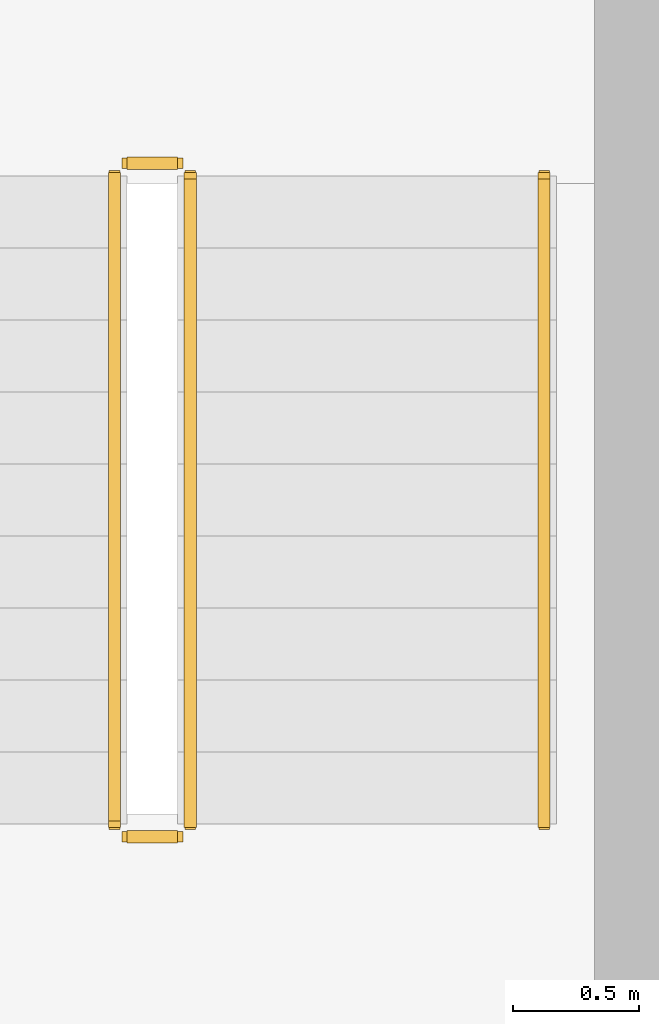
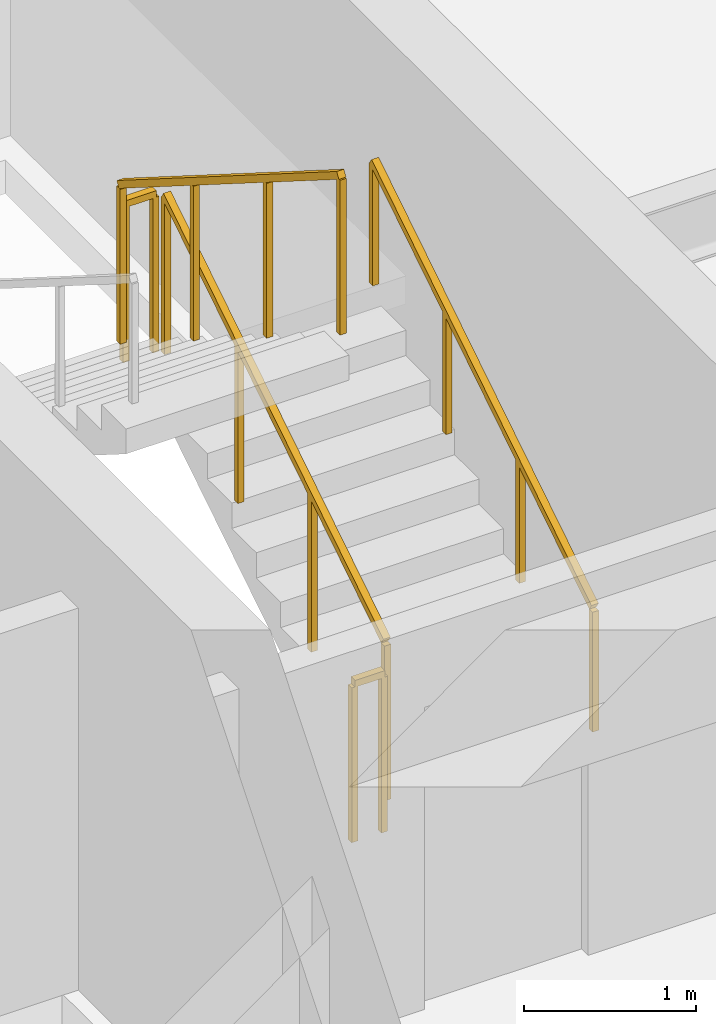
# One storey, part 23 of 23: 5 railings.
"""IFC4 building model written with IfcOpenShell, lengths in metres."""

import ifcopenshell
import ifcopenshell.guid

model = None  # the IFC model being written
_history = None  # IfcOwnerHistory: only IFC2X3 demands one
_inside = {}  # id of a spatial element -> (the spatial element, [elements in it])
_under = {}  # id of a project, library or spatial element -> (it, [spatial elements below it])
_declared = {}  # id of a project -> (the project, [libraries it declares])
_typed = {}  # id of a type object -> (the type object, [elements of that type])
_made_of = {}  # id of a material, layer set ... -> (it, [elements and type objects made of it])


def new_model(schema):
    """Start an empty IFC model of exactly this schema.

    Asked for "IFC4X3", IfcOpenShell would pick the latest addendum, in which some entities
    have other attributes; the version numbers below select the first issue.
    IFC2X3 requires an IfcOwnerHistory on every rooted entity: one is made here for all.
    """
    global model, _history
    if schema == "IFC4X3":
        model = ifcopenshell.file(schema_version=(4, 3, 0, 0))
    else:
        model = ifcopenshell.file(schema=schema)
    _inside.clear()
    _under.clear()
    _declared.clear()
    _typed.clear()
    _made_of.clear()
    _history = None
    if model.schema == "IFC2X3":
        org = make("IfcOrganization", Name="unknown")
        user = make(
            "IfcPersonAndOrganization",
            ThePerson=make("IfcPerson", FamilyName="unknown"),
            TheOrganization=org,
        )
        app = make(
            "IfcApplication",
            ApplicationDeveloper=org,
            Version="unknown",
            ApplicationFullName="unknown",
            ApplicationIdentifier="unknown",
        )
        _history = make(
            "IfcOwnerHistory",
            OwningUser=user,
            OwningApplication=app,
            ChangeAction="ADDED",
            CreationDate=0,
        )
    return model


def make(cls, **values):
    """One entity of the class cls with the attributes given. An attribute that is None is left unset."""
    return model.create_entity(
        cls, **{name: value for name, value in values.items() if value is not None}
    )


def rooted(cls, **values):
    """An entity with a GlobalId (a new one), such as an element, a storey or a relation."""
    return make(cls, GlobalId=ifcopenshell.guid.new(), OwnerHistory=_history, **values)


def si_unit(unit_type, name, prefix=None):
    """IfcSIUnit, for example si_unit("LENGTHUNIT", "METRE", prefix="MILLI")."""
    return make("IfcSIUnit", UnitType=unit_type, Prefix=prefix, Name=name)


def assignment(units):
    """IfcUnitAssignment: the units of a project."""
    return None if units is None else make("IfcUnitAssignment", Units=units)


def point(xyz):
    """IfcCartesianPoint."""
    return None if xyz is None else make("IfcCartesianPoint", Coordinates=xyz)


def direction(xyz):
    """IfcDirection."""
    return None if xyz is None else make("IfcDirection", DirectionRatios=xyz)


def frame(location, z_axis=None, x_axis=None):
    """IfcAxis2Placement3D, a coordinate frame: its origin and axes. An axis left out is left unset."""
    return make(
        "IfcAxis2Placement3D",
        Location=point(location),
        Axis=direction(z_axis),
        RefDirection=direction(x_axis),
    )


def frame_2d(location, x_axis=None):
    """IfcAxis2Placement2D, a coordinate frame in the plane: its origin and x axis."""
    return make(
        "IfcAxis2Placement2D", Location=point(location), RefDirection=direction(x_axis)
    )


def origin():
    """The frame at (0, 0, 0) with its axes left unset."""
    return frame((0.0, 0.0, 0.0))


def origin_2d():
    """The frame at (0, 0) in the plane with its x axis left unset."""
    return frame_2d((0.0, 0.0))


def place(relative_to, where):
    """IfcLocalPlacement: puts the frame where relative to a parent placement (None: the world)."""
    return make(
        "IfcLocalPlacement", PlacementRelTo=relative_to, RelativePlacement=where
    )


def context(
    kind, dimensions, precision=None, world=None, true_north=None, identifier=None
):
    """IfcGeometricRepresentationContext, for example the 3D "Model" context."""
    return make(
        "IfcGeometricRepresentationContext",
        ContextIdentifier=identifier,
        ContextType=kind,
        CoordinateSpaceDimension=dimensions,
        Precision=precision,
        WorldCoordinateSystem=world,
        TrueNorth=true_north,
    )


def subcontext(parent, identifier, kind, view, scale=None):
    """IfcGeometricRepresentationSubContext, for example "Body" below "Model"."""
    return make(
        "IfcGeometricRepresentationSubContext",
        ContextIdentifier=identifier,
        ContextType=kind,
        ParentContext=parent,
        TargetScale=scale,
        TargetView=view,
    )


def project(units=None, contexts=None):
    """IfcProject with its units and contexts."""
    return rooted(
        "IfcProject",
        Name="project",
        RepresentationContexts=contexts,
        UnitsInContext=assignment(units),
    )


def spatial(cls, under=None, at=None, **own):
    """A site, building, storey or space (cls), placed at a placement, below another one or the project."""
    s = rooted(cls, ObjectPlacement=at, **own)
    if under is not None:
        _under.setdefault(under.id(), (under, []))[1].append(s)
    return s


def profile(cls, at=None, kind="AREA", **sizes):
    """A parametric profile (cls). Its sizes go by their IFC names, for example OverallWidth=200.0."""
    return make(cls, ProfileType=kind, Position=at, **sizes)


def rectangle(**sizes):
    """IfcRectangleProfileDef."""
    return profile("IfcRectangleProfileDef", **sizes)


def extrude(swept, where, along, depth):
    """IfcExtrudedAreaSolid: the profile swept, set in the frame where, extruded along a direction by depth."""
    return make(
        "IfcExtrudedAreaSolid",
        SweptArea=swept,
        Position=where,
        ExtrudedDirection=direction(along),
        Depth=depth,
    )


def shape(context_of_items, identifier, shape_type, items):
    """IfcShapeRepresentation: the items that make up one representation, for example the "Body"."""
    return make(
        "IfcShapeRepresentation",
        ContextOfItems=context_of_items,
        RepresentationIdentifier=identifier,
        RepresentationType=shape_type,
        Items=items,
    )


def material(Name=None, Category=None):
    """IfcMaterial."""
    return make("IfcMaterial", Name=Name, Category=Category)


def made_of(thing, what):
    """Note that an element or type object is made of a material, layer set ...; save() writes the relation."""
    if what is not None:
        _made_of.setdefault(what.id(), (what, []))[1].append(thing)
    return thing


def type_object(cls, material=None, **own):
    """A type object (cls), such as IfcWallType, which elements share."""
    return made_of(rooted(cls, **own), material)


def element(
    cls,
    number,
    at=None,
    inside=None,
    cuts=None,
    type_object=None,
    material=None,
    context=None,
    identifier="Body",
    shape_type=None,
    held_by="IfcProductDefinitionShape",
    body=None,
    shapes=None,
    **own,
):
    """One element of the class cls, such as IfcWall. Its Tag is "e" and its number.

    at: its placement. inside: the storey or other place that contains it. cuts: it is an
    opening in that element (IfcRelVoidsElement). A single representation is given by context,
    identifier, shape_type and body (its items); several are given by shapes. held_by: the class
    of the entity that holds the representations. save() writes the other relations.
    """
    e = rooted(cls, Tag="e%d" % number, ObjectPlacement=at, **own)
    if body is not None:
        shapes = [shape(context, identifier, shape_type, body)]
    if shapes is not None:
        e.Representation = make(held_by, Representations=shapes)
    if inside is not None:
        _inside.setdefault(inside.id(), (inside, []))[1].append(e)
    if cuts is not None:
        rooted(
            "IfcRelVoidsElement", RelatingBuildingElement=cuts, RelatedOpeningElement=e
        )
    if type_object is not None:
        _typed.setdefault(type_object.id(), (type_object, []))[1].append(e)
    return made_of(e, material)


def aggregate(whole, parts):
    """IfcRelAggregates: a whole, such as a stair, and the parts it consists of."""
    return rooted("IfcRelAggregates", RelatingObject=whole, RelatedObjects=parts)


def save(model, path):
    """Write the relations noted so far, then the file.

    IfcRelAggregates (storeys below a building ...), IfcRelContainedInSpatialStructure (elements
    in a storey), IfcRelDefinesByType, IfcRelAssociatesMaterial and IfcRelDeclares: one each for
    every whole, place, type object, material and project.
    """
    for whole, parts in _under.values():
        aggregate(whole, parts)
    for where, things in _inside.values():
        rooted(
            "IfcRelContainedInSpatialStructure",
            RelatedElements=things,
            RelatingStructure=where,
        )
    for kind, things in _typed.values():
        rooted("IfcRelDefinesByType", RelatedObjects=things, RelatingType=kind)
    for what, things in _made_of.values():
        rooted("IfcRelAssociatesMaterial", RelatedObjects=things, RelatingMaterial=what)
    for by, libraries in _declared.values():
        rooted("IfcRelDeclares", RelatingContext=by, RelatedDefinitions=libraries)
    model.write(path)


model = new_model("IFC4")

# Units and contexts
model_context = context("Model", 3, precision=1e-05, world=origin(), true_north=direction((0.0, 1.0)))
body_context = subcontext(model_context, "Body", "Model", "MODEL_VIEW")
ifc_project = project(units=[si_unit("LENGTHUNIT", "METRE"), si_unit("AREAUNIT", "SQUARE_METRE"), si_unit("VOLUMEUNIT", "CUBIC_METRE"), si_unit("PLANEANGLEUNIT", "RADIAN"), si_unit("MASSUNIT", "GRAM", prefix="KILO")], contexts=[model_context])

# Site, building, storey
site_placement = place(None, origin())
site = spatial("IfcSite", under=ifc_project, at=site_placement, CompositionType="ELEMENT")
building_placement = place(site_placement, origin())
building = spatial("IfcBuilding", under=site, at=building_placement, Name="Sarneth Arch Tower", CompositionType="ELEMENT")
storey_placement = place(building_placement, frame((0.0, 0.0, 238.800048828125)))
storey = spatial("IfcBuildingStorey", under=building, at=storey_placement, Name="L61", CompositionType="ELEMENT", Elevation=238.800048828125)

# Railings
ifc_material_1 = material(Name="Brushed Stainless Steel 304 tubular handrail", Category="steel")
railing_type_1 = type_object("IfcRailingType", Name="RAIL-HANDRAIL-900", PredefinedType="HANDRAIL", material=ifc_material_1)
railing_1_placement = place(storey_placement, frame((58.60009765625, 41.449951171875, 0.179931640625)))
element("IfcRailing", 1, at=railing_1_placement, inside=storey, type_object=railing_type_1, Name="L61 ST-2 stair handrail 1", PredefinedType="HANDRAIL", context=body_context, shape_type="SweptSolid", body=[
    extrude(rectangle(XDim=0.048095703125, YDim=0.048095703125, at=origin_2d()), frame((0.0, 0.0, 0.8759765625), z_axis=(0.0, 0.845465955043, 0.534029323973), x_axis=(-1.0, 0.0, 0.0)), (0.0, 0.0, 1.0), 3.03369140625),
    extrude(rectangle(XDim=0.0419921875, YDim=0.0419921875, at=origin_2d()), origin(), (0.0, 0.0, 1.0), 0.851806640625),
    extrude(rectangle(XDim=0.0419921875, YDim=0.0419921875, at=origin_2d()), frame((0.0, 0.85498046875, 0.5400390625)), (0.0, 0.0, 1.0), 0.851806640625),
    extrude(rectangle(XDim=0.0419921875, YDim=0.0419921875, at=origin_2d()), frame((0.0, 1.7099609375, 1.080078125)), (0.0, 0.0, 1.0), 0.851806640625),
    extrude(rectangle(XDim=0.0419921875, YDim=0.0419921875, at=origin_2d()), frame((0.0, 2.56494140625, 1.6201171875)), (0.0, 0.0, 1.0), 0.851806640625),
])
ifc_material_2 = material(Name="Painted Steel S275 stair well guard", Category="steel")
railing_type_2 = type_object("IfcRailingType", Name="RAIL-STAIR-GUARD", PredefinedType="GUARDRAIL", material=ifc_material_2)
railing_2_placement = place(storey_placement, frame((57.199951171875, 41.449951171875, 0.179931640625)))
element("IfcRailing", 2, at=railing_2_placement, inside=storey, type_object=railing_type_2, Name="L61 ST-2 stair guard 1", PredefinedType="GUARDRAIL", context=body_context, shape_type="SweptSolid", body=[
    extrude(rectangle(XDim=0.048095703125, YDim=0.048095703125, at=origin_2d()), frame((0.0, 0.0, 1.1259765625), z_axis=(0.0, 0.845465955043, 0.534029323973), x_axis=(-1.0, 0.0, 0.0)), (0.0, 0.0, 1.0), 3.03369140625),
    extrude(rectangle(XDim=0.0419921875, YDim=0.0419921875, at=origin_2d()), origin(), (0.0, 0.0, 1.0), 1.101806640625),
    extrude(rectangle(XDim=0.0419921875, YDim=0.0419921875, at=origin_2d()), frame((0.0, 0.85498046875, 0.5400390625)), (0.0, 0.0, 1.0), 1.101806640625),
    extrude(rectangle(XDim=0.0419921875, YDim=0.0419921875, at=origin_2d()), frame((0.0, 1.7099609375, 1.080078125)), (0.0, 0.0, 1.0), 1.101806640625),
    extrude(rectangle(XDim=0.0419921875, YDim=0.0419921875, at=origin_2d()), frame((0.0, 2.56494140625, 1.6201171875)), (0.0, 0.0, 1.0), 1.101806640625),
])
railing_3_placement = place(storey_placement, frame((57.14990234375, 44.06494140625, 1.800048828125)))
element("IfcRailing", 3, at=railing_3_placement, inside=storey, type_object=railing_type_2, Name="L61 ST-2 stair guard 2", PredefinedType="GUARDRAIL", context=body_context, shape_type="SweptSolid", body=[
    extrude(rectangle(XDim=0.048095703125, YDim=0.048095703125, at=origin_2d()), frame((0.0, 0.0, 1.1259765625), z_axis=(-1.0, 0.0, 0.0), x_axis=(0.0, -1.0, 0.0)), (0.0, 0.0, 1.0), 0.199951171875),
    extrude(rectangle(XDim=0.0419921875, YDim=0.0419921875, at=origin_2d()), origin(), (0.0, 0.0, 1.0), 1.101806640625),
    extrude(rectangle(XDim=0.0419921875, YDim=0.0419921875, at=origin_2d()), frame((-0.199951171875, 0.0, 0.0)), (0.0, 0.0, 1.0), 1.101806640625),
])
railing_4_placement = place(storey_placement, frame((56.89990234375, 44.014892578125, 1.97998046875)))
element("IfcRailing", 4, at=railing_4_placement, inside=storey, type_object=railing_type_2, Name="L61 ST-2 stair guard 3", PredefinedType="GUARDRAIL", context=body_context, shape_type="SweptSolid", body=[
    extrude(rectangle(XDim=0.048095703125, YDim=0.048095703125, at=origin_2d()), frame((0.0, 0.0, 1.1259765625), z_axis=(0.0, -0.845502289212, 0.533971796014), x_axis=(1.0, 0.0, 0.0)), (0.0, 0.0, 1.0), 3.03369140625),
    extrude(rectangle(XDim=0.0419921875, YDim=0.0419921875, at=origin_2d()), origin(), (0.0, 0.0, 1.0), 1.101806640625),
    extrude(rectangle(XDim=0.0419921875, YDim=0.0419921875, at=origin_2d()), frame((0.0, -0.85498046875, 0.5400390625)), (0.0, 0.0, 1.0), 1.101806640625),
    extrude(rectangle(XDim=0.0419921875, YDim=0.0419921875, at=origin_2d()), frame((0.0, -1.7099609375, 1.079833984375)), (0.0, 0.0, 1.0), 1.101806640625),
    extrude(rectangle(XDim=0.0419921875, YDim=0.0419921875, at=origin_2d()), frame((0.0, -2.56494140625, 1.619873046875)), (0.0, 0.0, 1.0), 1.101806640625),
])
railing_5_placement = place(storey_placement, frame((57.14990234375, 41.39990234375, 0.0)))
element("IfcRailing", 5, at=railing_5_placement, inside=storey, type_object=railing_type_2, Name="L61 ST-2 stair guard 4", PredefinedType="GUARDRAIL", context=body_context, shape_type="SweptSolid", body=[
    extrude(rectangle(XDim=0.048095703125, YDim=0.048095703125, at=origin_2d()), frame((0.0, 0.0, 1.1259765625), z_axis=(-1.0, 0.0, 0.0), x_axis=(0.0, -1.0, 0.0)), (0.0, 0.0, 1.0), 0.199951171875),
    extrude(rectangle(XDim=0.0419921875, YDim=0.0419921875, at=origin_2d()), origin(), (0.0, 0.0, 1.0), 1.101806640625),
    extrude(rectangle(XDim=0.0419921875, YDim=0.0419921875, at=origin_2d()), frame((-0.199951171875, 0.0, 0.0)), (0.0, 0.0, 1.0), 1.101806640625),
])

save(model, "model.ifc")
